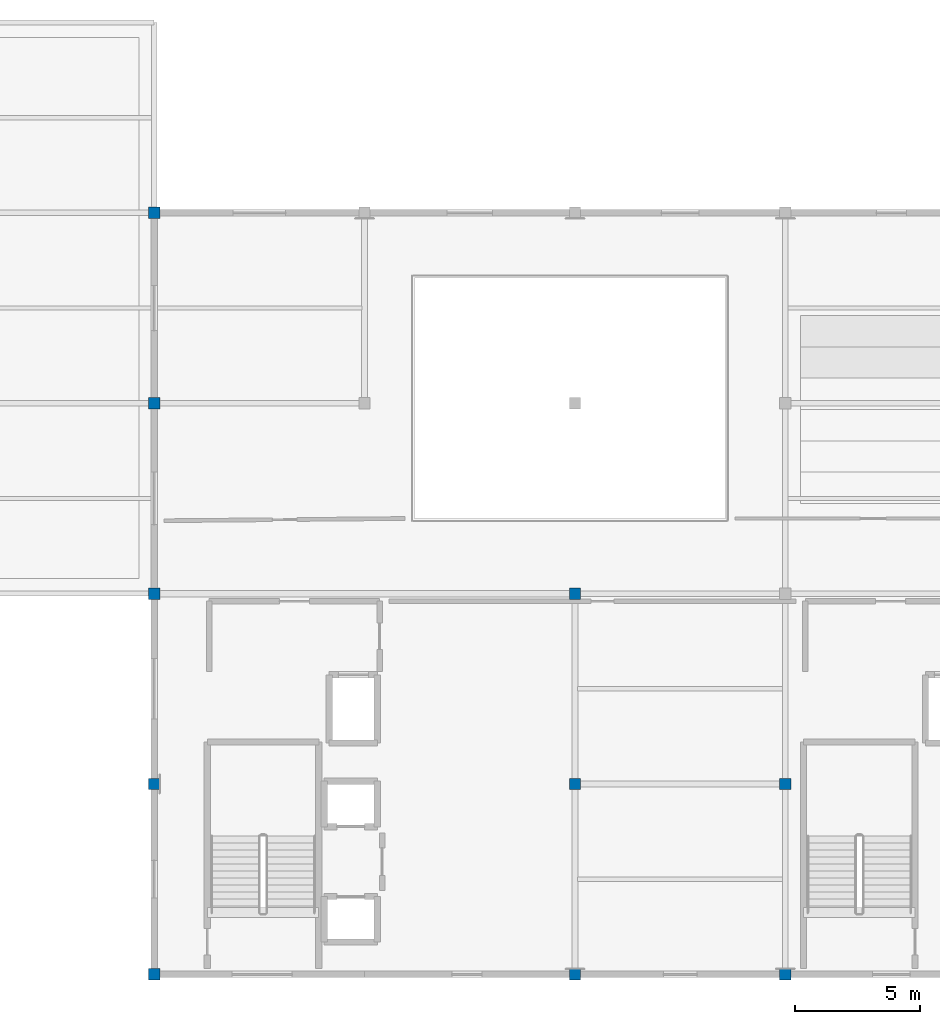
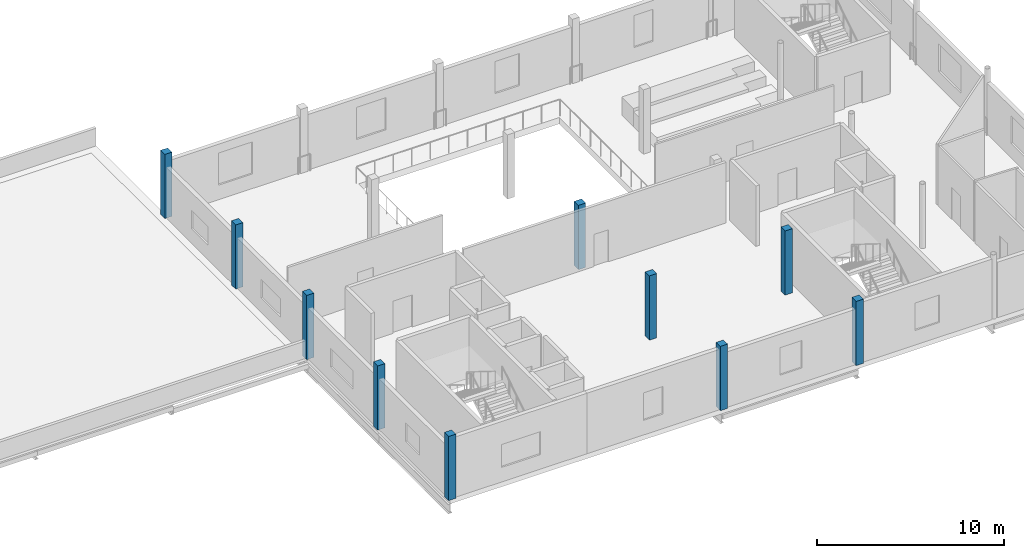
# One storey, part 1 of 13: 10 columns.
"""IFC4 building model written with IfcOpenShell, lengths in metres."""

import ifcopenshell
import ifcopenshell.guid

model = None  # the IFC model being written
_history = None  # IfcOwnerHistory: only IFC2X3 demands one
_inside = {}  # id of a spatial element -> (the spatial element, [elements in it])
_under = {}  # id of a project, library or spatial element -> (it, [spatial elements below it])
_declared = {}  # id of a project -> (the project, [libraries it declares])
_typed = {}  # id of a type object -> (the type object, [elements of that type])
_made_of = {}  # id of a material, layer set ... -> (it, [elements and type objects made of it])


def new_model(schema):
    """Start an empty IFC model of exactly this schema.

    Asked for "IFC4X3", IfcOpenShell would pick the latest addendum, in which some entities
    have other attributes; the version numbers below select the first issue.
    IFC2X3 requires an IfcOwnerHistory on every rooted entity: one is made here for all.
    """
    global model, _history
    if schema == "IFC4X3":
        model = ifcopenshell.file(schema_version=(4, 3, 0, 0))
    else:
        model = ifcopenshell.file(schema=schema)
    _inside.clear()
    _under.clear()
    _declared.clear()
    _typed.clear()
    _made_of.clear()
    _history = None
    if model.schema == "IFC2X3":
        org = make("IfcOrganization", Name="unknown")
        user = make(
            "IfcPersonAndOrganization",
            ThePerson=make("IfcPerson", FamilyName="unknown"),
            TheOrganization=org,
        )
        app = make(
            "IfcApplication",
            ApplicationDeveloper=org,
            Version="unknown",
            ApplicationFullName="unknown",
            ApplicationIdentifier="unknown",
        )
        _history = make(
            "IfcOwnerHistory",
            OwningUser=user,
            OwningApplication=app,
            ChangeAction="ADDED",
            CreationDate=0,
        )
    return model


def make(cls, **values):
    """One entity of the class cls with the attributes given. An attribute that is None is left unset."""
    return model.create_entity(
        cls, **{name: value for name, value in values.items() if value is not None}
    )


def rooted(cls, **values):
    """An entity with a GlobalId (a new one), such as an element, a storey or a relation."""
    return make(cls, GlobalId=ifcopenshell.guid.new(), OwnerHistory=_history, **values)


def si_unit(unit_type, name, prefix=None):
    """IfcSIUnit, for example si_unit("LENGTHUNIT", "METRE", prefix="MILLI")."""
    return make("IfcSIUnit", UnitType=unit_type, Prefix=prefix, Name=name)


def assignment(units):
    """IfcUnitAssignment: the units of a project."""
    return None if units is None else make("IfcUnitAssignment", Units=units)


def point(xyz):
    """IfcCartesianPoint."""
    return None if xyz is None else make("IfcCartesianPoint", Coordinates=xyz)


def direction(xyz):
    """IfcDirection."""
    return None if xyz is None else make("IfcDirection", DirectionRatios=xyz)


def frame(location, z_axis=None, x_axis=None):
    """IfcAxis2Placement3D, a coordinate frame: its origin and axes. An axis left out is left unset."""
    return make(
        "IfcAxis2Placement3D",
        Location=point(location),
        Axis=direction(z_axis),
        RefDirection=direction(x_axis),
    )


def frame_2d(location, x_axis=None):
    """IfcAxis2Placement2D, a coordinate frame in the plane: its origin and x axis."""
    return make(
        "IfcAxis2Placement2D", Location=point(location), RefDirection=direction(x_axis)
    )


def origin():
    """The frame at (0, 0, 0) with its axes left unset."""
    return frame((0.0, 0.0, 0.0))


def origin_2d():
    """The frame at (0, 0) in the plane with its x axis left unset."""
    return frame_2d((0.0, 0.0))


def place(relative_to, where):
    """IfcLocalPlacement: puts the frame where relative to a parent placement (None: the world)."""
    return make(
        "IfcLocalPlacement", PlacementRelTo=relative_to, RelativePlacement=where
    )


def context(
    kind, dimensions, precision=None, world=None, true_north=None, identifier=None
):
    """IfcGeometricRepresentationContext, for example the 3D "Model" context."""
    return make(
        "IfcGeometricRepresentationContext",
        ContextIdentifier=identifier,
        ContextType=kind,
        CoordinateSpaceDimension=dimensions,
        Precision=precision,
        WorldCoordinateSystem=world,
        TrueNorth=true_north,
    )


def subcontext(parent, identifier, kind, view, scale=None):
    """IfcGeometricRepresentationSubContext, for example "Body" below "Model"."""
    return make(
        "IfcGeometricRepresentationSubContext",
        ContextIdentifier=identifier,
        ContextType=kind,
        ParentContext=parent,
        TargetScale=scale,
        TargetView=view,
    )


def project(units=None, contexts=None):
    """IfcProject with its units and contexts."""
    return rooted(
        "IfcProject",
        Name="project",
        RepresentationContexts=contexts,
        UnitsInContext=assignment(units),
    )


def spatial(cls, under=None, at=None, **own):
    """A site, building, storey or space (cls), placed at a placement, below another one or the project."""
    s = rooted(cls, ObjectPlacement=at, **own)
    if under is not None:
        _under.setdefault(under.id(), (under, []))[1].append(s)
    return s


def profile(cls, at=None, kind="AREA", **sizes):
    """A parametric profile (cls). Its sizes go by their IFC names, for example OverallWidth=200.0."""
    return make(cls, ProfileType=kind, Position=at, **sizes)


def rectangle(**sizes):
    """IfcRectangleProfileDef."""
    return profile("IfcRectangleProfileDef", **sizes)


def extrude(swept, where, along, depth):
    """IfcExtrudedAreaSolid: the profile swept, set in the frame where, extruded along a direction by depth."""
    return make(
        "IfcExtrudedAreaSolid",
        SweptArea=swept,
        Position=where,
        ExtrudedDirection=direction(along),
        Depth=depth,
    )


def shape(context_of_items, identifier, shape_type, items):
    """IfcShapeRepresentation: the items that make up one representation, for example the "Body"."""
    return make(
        "IfcShapeRepresentation",
        ContextOfItems=context_of_items,
        RepresentationIdentifier=identifier,
        RepresentationType=shape_type,
        Items=items,
    )


def material(Name=None, Category=None):
    """IfcMaterial."""
    return make("IfcMaterial", Name=Name, Category=Category)


def material_profile(
    of_material, cross_section, Name=None, Category=None, Priority=None
):
    """IfcMaterialProfile: a cross section and its material."""
    return make(
        "IfcMaterialProfile",
        Name=Name,
        Material=of_material,
        Profile=cross_section,
        Priority=Priority,
        Category=Category,
    )


def profile_set(profiles, Name=None, composite=None):
    """IfcMaterialProfileSet."""
    return make(
        "IfcMaterialProfileSet",
        Name=Name,
        MaterialProfiles=profiles,
        CompositeProfile=composite,
    )


def made_of(thing, what):
    """Note that an element or type object is made of a material, layer set ...; save() writes the relation."""
    if what is not None:
        _made_of.setdefault(what.id(), (what, []))[1].append(thing)
    return thing


def type_object(cls, material=None, **own):
    """A type object (cls), such as IfcWallType, which elements share."""
    return made_of(rooted(cls, **own), material)


def element(
    cls,
    number,
    at=None,
    inside=None,
    cuts=None,
    type_object=None,
    material=None,
    context=None,
    identifier="Body",
    shape_type=None,
    held_by="IfcProductDefinitionShape",
    body=None,
    shapes=None,
    **own,
):
    """One element of the class cls, such as IfcWall. Its Tag is "e" and its number.

    at: its placement. inside: the storey or other place that contains it. cuts: it is an
    opening in that element (IfcRelVoidsElement). A single representation is given by context,
    identifier, shape_type and body (its items); several are given by shapes. held_by: the class
    of the entity that holds the representations. save() writes the other relations.
    """
    e = rooted(cls, Tag="e%d" % number, ObjectPlacement=at, **own)
    if body is not None:
        shapes = [shape(context, identifier, shape_type, body)]
    if shapes is not None:
        e.Representation = make(held_by, Representations=shapes)
    if inside is not None:
        _inside.setdefault(inside.id(), (inside, []))[1].append(e)
    if cuts is not None:
        rooted(
            "IfcRelVoidsElement", RelatingBuildingElement=cuts, RelatedOpeningElement=e
        )
    if type_object is not None:
        _typed.setdefault(type_object.id(), (type_object, []))[1].append(e)
    return made_of(e, material)


def aggregate(whole, parts):
    """IfcRelAggregates: a whole, such as a stair, and the parts it consists of."""
    return rooted("IfcRelAggregates", RelatingObject=whole, RelatedObjects=parts)


def save(model, path):
    """Write the relations noted so far, then the file.

    IfcRelAggregates (storeys below a building ...), IfcRelContainedInSpatialStructure (elements
    in a storey), IfcRelDefinesByType, IfcRelAssociatesMaterial and IfcRelDeclares: one each for
    every whole, place, type object, material and project.
    """
    for whole, parts in _under.values():
        aggregate(whole, parts)
    for where, things in _inside.values():
        rooted(
            "IfcRelContainedInSpatialStructure",
            RelatedElements=things,
            RelatingStructure=where,
        )
    for kind, things in _typed.values():
        rooted("IfcRelDefinesByType", RelatedObjects=things, RelatingType=kind)
    for what, things in _made_of.values():
        rooted("IfcRelAssociatesMaterial", RelatedObjects=things, RelatingMaterial=what)
    for by, libraries in _declared.values():
        rooted("IfcRelDeclares", RelatingContext=by, RelatedDefinitions=libraries)
    model.write(path)


model = new_model("IFC4")

# Units and contexts
model_context = context("Model", 3, precision=1e-05, world=origin(), true_north=direction((0.0, 1.0)))
body_context = subcontext(model_context, "Body", "Model", "MODEL_VIEW")
ifc_project = project(units=[si_unit("LENGTHUNIT", "METRE"), si_unit("AREAUNIT", "SQUARE_METRE"), si_unit("VOLUMEUNIT", "CUBIC_METRE"), si_unit("PLANEANGLEUNIT", "RADIAN"), si_unit("MASSUNIT", "GRAM", prefix="KILO")], contexts=[model_context])

# Site, building, storey
site_placement = place(None, origin())
site = spatial("IfcSite", under=ifc_project, at=site_placement, CompositionType="ELEMENT")
building_placement = place(site_placement, origin())
building = spatial("IfcBuilding", under=site, at=building_placement, Name="Zuvorla Pavilion Media Centre", CompositionType="ELEMENT")
storey_placement = place(building_placement, frame((0.0, 0.0, 22.199951171875)))
storey = spatial("IfcBuildingStorey", under=building, at=storey_placement, Name="L05", CompositionType="ELEMENT", Elevation=22.199951171875)

# Columns
ifc_material = material(Name="Concrete C40/50", Category="concrete")
ifc_material_profile = material_profile(ifc_material, rectangle(XDim=0.449951171875, YDim=0.449951171875, at=origin_2d()), Name="RC 450x450")
ifc_profile_set = profile_set([ifc_material_profile], Name="Concrete C40/50")
column_type = type_object("IfcColumnType", Name="COL-RC450", PredefinedType="COLUMN", material=ifc_profile_set)
for number, where, z_axis, x_axis, name in (
    (1, (66.800048828125, 6.0, 0.0), (0.0, 0.0, 1.0), (1.0, 0.0, 0.0), "L05 column C04 31"),
    (2, (83.60009765625, 6.0, 0.0), (0.0, 0.0, 1.0), (1.0, 0.0, 0.0), "L05 column C04 39"),
    (3, (92.0, 6.0, 0.0), (0.0, 0.0, 1.0), (1.0, 0.0, 0.0), "L05 column C04 47"),
    (4, (66.800048828125, 13.60009765625, 0.0), (0.0, 0.0, 1.0), (1.0, 0.0, 0.0), "L05 column C04 129"),
    (5, (83.60009765625, 13.60009765625, 0.0), (0.0, 0.0, 1.0), (1.0, 0.0, 0.0), "L05 column C04 137"),
    (6, (92.0, 13.60009765625, 0.0), (0.0, 0.0, 1.0), (1.0, 0.0, 0.0), "L05 column C04 145"),
    (7, (66.800048828125, 21.199951171875, 0.0), (0.0, 0.0, 1.0), (1.0, 0.0, 0.0), "L05 column C04 230"),
    (8, (83.60009765625, 21.199951171875, 0.0), (0.0, 0.0, 1.0), (1.0, 0.0, 0.0), "L05 column C04 238"),
    (9, (66.800048828125, 28.800048828125, 0.0), (0.0, 0.0, 1.0), (1.0, 0.0, 0.0), "L05 column C04 317"),
    (10, (66.800048828125, 36.39990234375, 0.0), (0.0, 0.0, 1.0), (1.0, 0.0, 0.0), "L05 column C04 407"),
):
    element("IfcColumn", number, at=place(storey_placement, frame(where, z_axis=z_axis, x_axis=x_axis)), inside=storey, type_object=column_type, Name=name, PredefinedType="COLUMN", context=body_context, shape_type="SweptSolid", body=[
        extrude(rectangle(XDim=0.449951171875, YDim=0.449951171875, at=origin_2d()), origin(), (0.0, 0.0, 1.0), 4.199951171875),
    ])

save(model, "model.ifc")
